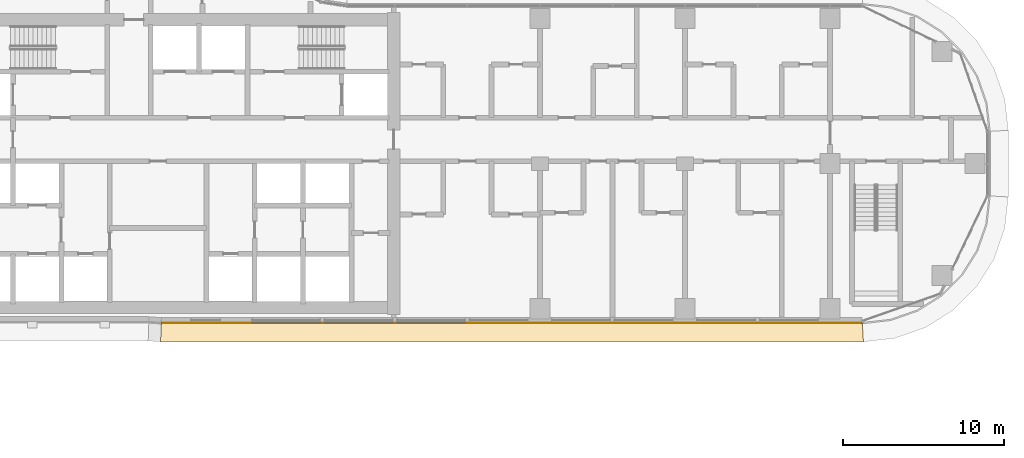
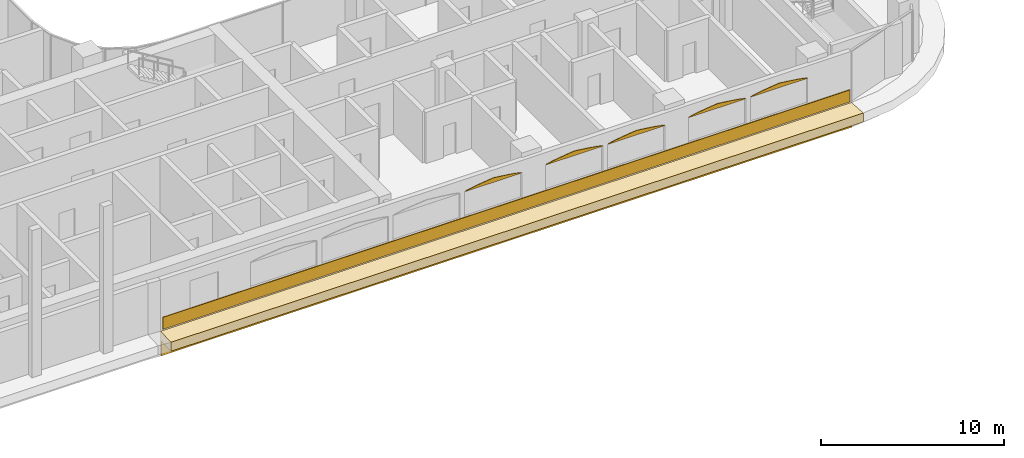
# One storey, part 34 of 40: 8 coverings.
"""IFC4 building model written with IfcOpenShell, lengths in metres."""

from ifc_helpers import new_model, si_unit, direction, frame, origin, origin_2d, place, context, subcontext, project, spatial, polyline, rectangle, outline, extrude, material, layer, layer_set, type_object, element, save


model = new_model("IFC4")

# Units and contexts
model_context = context("Model", 3, precision=1e-05, world=origin(), true_north=direction((0.0, 1.0)))
body_context = subcontext(model_context, "Body", "Model", "MODEL_VIEW")
ifc_project = project(units=[si_unit("LENGTHUNIT", "METRE"), si_unit("AREAUNIT", "SQUARE_METRE"), si_unit("VOLUMEUNIT", "CUBIC_METRE"), si_unit("PLANEANGLEUNIT", "RADIAN"), si_unit("MASSUNIT", "GRAM", prefix="KILO")], contexts=[model_context])

# Site, building, storey
site_placement = place(None, origin())
site = spatial("IfcSite", under=ifc_project, at=site_placement, CompositionType="ELEMENT")
building_placement = place(site_placement, origin())
building = spatial("IfcBuilding", under=site, at=building_placement, Name="Ogive Portal Towers", CompositionType="ELEMENT")
storey_placement = place(building_placement, frame((0.0, 0.0, 87.10009765625)))
storey = spatial("IfcBuildingStorey", under=building, at=storey_placement, Name="L20", CompositionType="ELEMENT", Elevation=87.10009765625)

# Coverings
ifc_material = material(Name="Limestone cladding on lightweight block wall", Category="masonry")
ifc_layer_1 = layer(ifc_material, 0.0400390625)
ifc_layer_set_1 = layer_set([ifc_layer_1], Name="LANCET HEAD STONE")
covering_type_1 = type_object("IfcCoveringType", Name="LANCET HEAD STONE", PredefinedType="CLADDING", material=ifc_layer_set_1)
for number, where, z_axis, x_axis, name in (
    (1, (63.14990234375, 20.64501953125, 2.599853515625), (0.0, 0.999948962613, 0.010103077205), (1.0, 0.0, 0.0), "Lancet head"),
    (2, (68.25, 20.64501953125, 2.599853515625), (0.0, 0.999948962613, 0.010103077205), (1.0, 0.0, 0.0), "Lancet head"),
    (3, (72.14990234375, 20.64501953125, 2.599853515625), (0.0, 0.999948962613, 0.010103077205), (1.0, 0.0, 0.0), "Lancet head"),
    (4, (77.25, 20.64501953125, 2.599853515625), (0.0, 0.999948962613, 0.010103077205), (1.0, 0.0, 0.0), "Lancet head"),
    (5, (81.14990234375, 20.64501953125, 2.599853515625), (0.0, 0.999948962613, 0.010103077205), (1.0, 0.0, 0.0), "Lancet head"),
):
    element("IfcCovering", number, at=place(storey_placement, frame(where, z_axis=z_axis, x_axis=x_axis)), inside=storey, type_object=covering_type_1, Name=name, PredefinedType="CLADDING", context=body_context, shape_type="SweptSolid", body=[
        extrude(outline(polyline([(0.0, 0.0), (3.60009765625, 0.0), (3.5205078125, -0.037600670507037484), (3.375, -0.07495474627779121), (3.186767578125, -0.1125554167848287), (2.963623046875, -0.15015362072028288), (2.710693359375, -0.18751016306261992), (2.430908203125, -0.2251083669980741), (2.126708984375, -0.2624649093404111), (1.800048828125, -0.3000631132758653), (1.473388671875, -0.2624649093404111), (1.169189453125, -0.2251083669980741), (0.889404296875, -0.18751016306261992), (0.636474609375, -0.15015362072028288), (0.413330078125, -0.1125554167848287), (0.22509765625, -0.07495474627779121), (0.07958984375, -0.037600670507037484), (0.0, 0.0)])), origin(), (0.0, 0.0, -1.0), 0.0400390625),
    ])
ifc_layer_2 = layer(ifc_material, 0.050048828125)
ifc_layer_set_2 = layer_set([ifc_layer_2], Name="SCREEN PERFORATED STONE")
covering_type_2 = type_object("IfcCoveringType", Name="SCREEN PERFORATED STONE", PredefinedType="CLADDING", material=ifc_layer_set_2)
covering_1_placement = place(storey_placement, frame((65.74853515625, 20.6201171875, 0.10009765625), z_axis=(0.0, 0.0, 1.0), x_axis=(1.0, 0.0, 0.0)))
element("IfcCovering", 6, at=covering_1_placement, inside=storey, type_object=covering_type_2, Name="Tracery screen", PredefinedType="CLADDING", context=body_context, shape_type="SweptSolid", body=[
    extrude(rectangle(XDim=43.275634765625, YDim=0.050048828125, at=origin_2d()), origin(), (0.0, 0.0, 1.0), 0.800048828125),
])
ifc_layer_3 = layer(ifc_material, 0.080078125)
ifc_layer_set_3 = layer_set([ifc_layer_3], Name="STONE SPANDREL 80")
covering_type_3 = type_object("IfcCoveringType", Name="STONE SPANDREL 80", PredefinedType="CLADDING", material=ifc_layer_set_3)
covering_2_placement = place(storey_placement, frame((0.0, 0.0, -1.60009765625)))
element("IfcCovering", 7, at=covering_2_placement, inside=storey, type_object=covering_type_3, Name="Stone spandrel A1-F05", PredefinedType="CLADDING", context=body_context, shape_type="SweptSolid", body=[
    extrude(outline(polyline([(44.0, 20.64501953125), (87.5, 20.64501953125), (87.50439453125, 20.56494140625), (43.9970703125, 20.56494140625), (44.0, 20.64501953125)])), origin(), (0.0, 0.0, 1.0), 1.0),
])
ifc_layer_4 = layer(ifc_material, 0.60009765625)
ifc_layer_set_4 = layer_set([ifc_layer_4], Name="SUNSHADE LIP 600")
covering_type_4 = type_object("IfcCoveringType", Name="SUNSHADE LIP 600", PredefinedType="CLADDING", material=ifc_layer_set_4)
covering_3_placement = place(storey_placement, frame((0.0, 0.0, -0.60009765625)))
element("IfcCovering", 8, at=covering_3_placement, inside=storey, type_object=covering_type_4, Name="Sunshade lip A1-F05", PredefinedType="CLADDING", context=body_context, shape_type="SweptSolid", body=[
    extrude(outline(polyline([(44.0, 20.64501953125), (87.5, 20.64501953125), (87.5673828125, 19.445068359375), (43.95703125, 19.445068359375), (44.0, 20.64501953125)])), origin(), (0.0, 0.0, 1.0), 0.60009765625),
])

save(model, "model.ifc")
